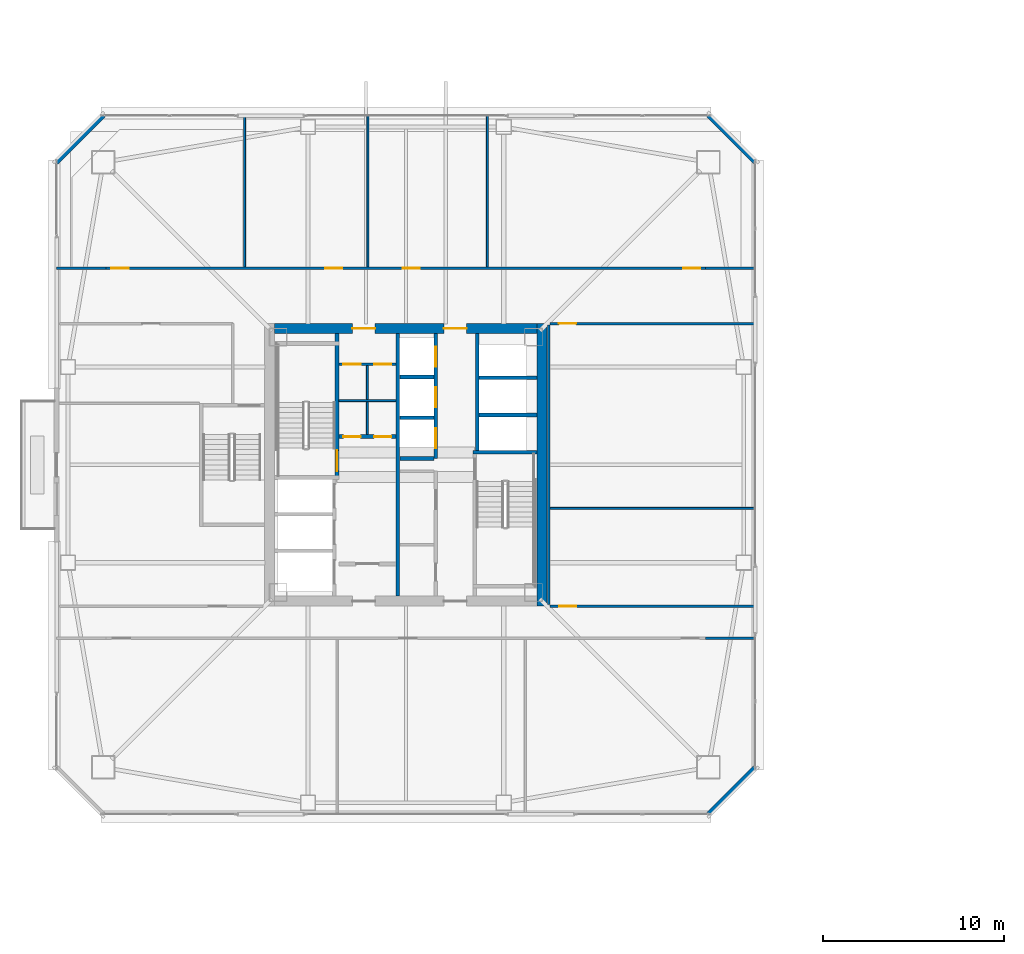
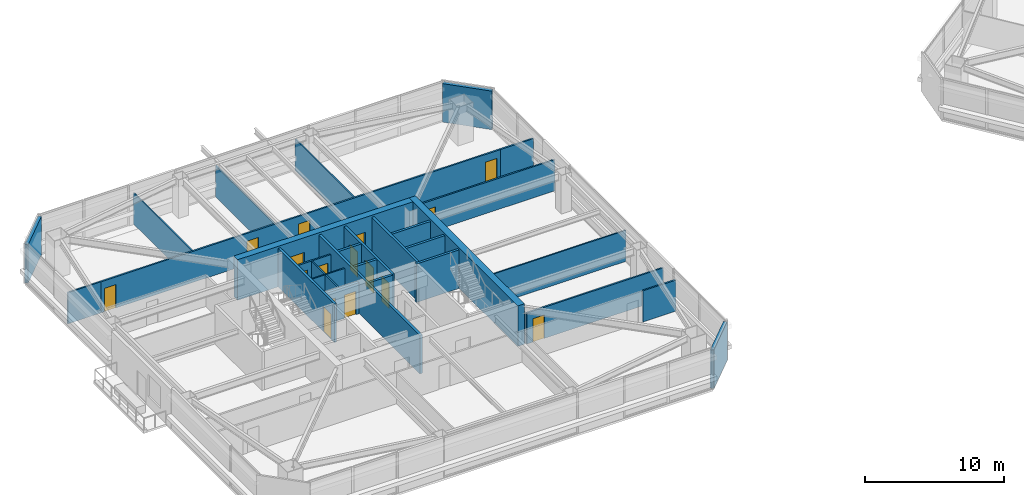
# One storey, part 36 of 46: 30 walls, 16 doors, 16 openings.
"""IFC4 building model written with IfcOpenShell, lengths in metres."""

from ifc_helpers import new_model, si_unit, direction, frame, frame_2d, origin, place, context, subcontext, project, spatial, rectangle, extrude, material, layer, layer_set, type_object, element, fill, save


model = new_model("IFC4")

# Units and contexts
model_context = context("Model", 3, precision=1e-05, world=origin(), true_north=direction((0.0, 1.0)))
body_context = subcontext(model_context, "Body", "Model", "MODEL_VIEW")
ifc_project = project(units=[si_unit("LENGTHUNIT", "METRE"), si_unit("AREAUNIT", "SQUARE_METRE"), si_unit("VOLUMEUNIT", "CUBIC_METRE"), si_unit("PLANEANGLEUNIT", "RADIAN"), si_unit("MASSUNIT", "GRAM", prefix="KILO")], contexts=[model_context])

# Site, building, storey
site_placement = place(None, origin())
site = spatial("IfcSite", under=ifc_project, at=site_placement, CompositionType="ELEMENT")
building_placement = place(site_placement, origin())
building = spatial("IfcBuilding", under=site, at=building_placement, Name="Tashvorn Skyway Center", CompositionType="ELEMENT")
storey_placement = place(building_placement, frame((0.0, 0.0, 132.14990234375)))
storey = spatial("IfcBuildingStorey", under=building, at=storey_placement, Name="L35", CompositionType="ELEMENT", Elevation=132.14990234375)

# Wall
ifc_material_1 = material(Name="Concrete C60/75", Category="concrete")
ifc_layer_1 = layer(ifc_material_1, 0.550048828125)
ifc_layer_set_1 = layer_set([ifc_layer_1], Name="Concrete C60/75")
wall_type_1 = type_object("IfcWallType", Name="WALL-CORE-550", PredefinedType="SHEAR", material=ifc_layer_set_1)
wall_1_placement = place(storey_placement, frame((49.52490234375, 39.800048828125, 0.0), z_axis=(0.0, 0.0, 1.0), x_axis=(0.0, -1.0, 0.0)))
element("IfcWall", 1, at=wall_1_placement, inside=storey, type_object=wall_type_1, Name="Tower 1 L35 East Core Shear Wall", PredefinedType="SHEAR", context=body_context, shape_type="SweptSolid", body=[
    extrude(rectangle(XDim=15.60009765625, YDim=0.550048828125, at=frame_2d((7.800048828125, 0.0))), origin(), (0.0, 0.0, 1.0), 3.550048828125),
])

# Wall, openings, doors
wall_2_placement = place(storey_placement, frame((34.75, 39.52490234375, 0.0), z_axis=(0.0, 0.0, 1.0), x_axis=(1.0, 0.0, 0.0)))
wall_2 = element("IfcWall", 2, at=wall_2_placement, inside=storey, type_object=wall_type_1, Name="Tower 1 L35 North Core Shear Wall", PredefinedType="SHEAR", context=body_context, shape_type="SweptSolid", body=[
    extrude(rectangle(XDim=14.5, YDim=0.550048828125, at=frame_2d((7.25, 0.0))), origin(), (0.0, 0.0, 1.0), 3.550048828125),
])
opening_1_placement = place(wall_2_placement, frame((4.300048828125, 0.0, 0.0)))
opening_1 = element("IfcOpeningElement", 3, at=opening_1_placement, cuts=wall_2, Name="Opening D-FFL-1250", PredefinedType="OPENING", context=body_context, shape_type="SweptSolid", body=[
    extrude(rectangle(XDim=1.25, YDim=2.25, at=frame_2d((0.625, 1.125))), frame((0.0, 0.284912109375, 0.0), z_axis=(0.0, -1.0, 0.0), x_axis=(1.0, 0.0, 0.0)), (0.0, 0.0, 1.0), 0.570068359375),
])
opening_2_placement = place(wall_2_placement, frame((9.35009765625, 0.0, 0.0)))
opening_2 = element("IfcOpeningElement", 4, at=opening_2_placement, cuts=wall_2, Name="Opening D-FFL-1250", PredefinedType="OPENING", context=body_context, shape_type="SweptSolid", body=[
    extrude(rectangle(XDim=1.25, YDim=2.25, at=frame_2d((0.625, 1.125))), frame((0.0, 0.284912109375, 0.0), z_axis=(0.0, -1.0, 0.0), x_axis=(1.0, 0.0, 0.0)), (0.0, 0.0, 1.0), 0.570068359375),
])
ifc_material_2 = material(Name="Hollow galvanized steel fire door assembly", Category="steel")
door_type_1 = type_object("IfcDoorType", Name="DOOR-FFL-1250", OperationType="NOTDEFINED", PredefinedType="DOOR", material=ifc_material_2)
door_1_placement = place(opening_1_placement, origin())
door_1 = element("IfcDoor", 5, at=door_1_placement, inside=storey, type_object=door_type_1, Name="Tower 1 L35 Core North Service Lobby Door", OperationType="SINGLE_SWING_LEFT", OverallHeight=2.25, OverallWidth=1.25, PredefinedType="DOOR", context=body_context, shape_type="SweptSolid", body=[
    extrude(rectangle(XDim=1.25, YDim=2.25, at=frame_2d((0.625, 1.125))), frame((0.0, 0.02490234375, 0.0), z_axis=(0.0, -1.0, 0.0), x_axis=(1.0, 0.0, 0.0)), (0.0, 0.0, 1.0), 0.050048828125),
])
fill(opening_1, door_1)
door_2_placement = place(opening_2_placement, origin())
door_2 = element("IfcDoor", 6, at=door_2_placement, inside=storey, type_object=door_type_1, Name="Tower 1 L35 Core North Lift Lobby Door", OperationType="SINGLE_SWING_RIGHT", OverallHeight=2.25, OverallWidth=1.25, PredefinedType="DOOR", context=body_context, shape_type="SweptSolid", body=[
    extrude(rectangle(XDim=1.25, YDim=2.25, at=frame_2d((0.625, 1.125))), frame((0.0, 0.02490234375, 0.0), z_axis=(0.0, -1.0, 0.0), x_axis=(1.0, 0.0, 0.0)), (0.0, 0.0, 1.0), 0.050048828125),
])
fill(opening_2, door_2)

# Walls
ifc_material_3 = material(Name="Precast concrete C40/50", Category="concrete")
ifc_layer_2 = layer(ifc_material_3, 0.280029296875)
ifc_layer_set_2 = layer_set([ifc_layer_2], Name="Precast concrete C40/50")
wall_type_2 = type_object("IfcWallType", Name="WALL-EXT-280", PredefinedType="SOLIDWALL", material=ifc_layer_set_2)
for number, where, z_axis, x_axis, name in (
    (7, (22.699951171875, 48.699951171875, 0.0), (0.0, 0.0, 1.0), (0.707106781187, 0.707106781187, 0.0), "Tower 1 L35 NW Precast Chamfer Wall"),
    (8, (58.699951171875, 51.300048828125, 0.0), (0.0, 0.0, 1.0), (0.707106781187, -0.707106781187, 0.0), "Tower 1 L35 NE Precast Chamfer Wall"),
    (9, (61.300048828125, 15.300048828125, 0.0), (0.0, 0.0, 1.0), (-0.707106781187, -0.707106781187, 0.0), "Tower 1 L35 SE Precast Chamfer Wall"),
):
    element("IfcWall", number, at=place(storey_placement, frame(where, z_axis=z_axis, x_axis=x_axis)), inside=storey, type_object=wall_type_2, Name=name, PredefinedType="SOLIDWALL", context=body_context, shape_type="SweptSolid", body=[
        extrude(rectangle(XDim=3.677001953125, YDim=0.280029296875, at=frame_2d((1.83837890625, 0.0))), origin(), (0.0, 0.0, 1.0), 3.3701171875),
    ])

# Wall, openings, doors
ifc_material_4 = material(Name="Concrete C40/50", Category="concrete")
ifc_layer_3 = layer(ifc_material_4, 0.219970703125)
ifc_layer_set_3 = layer_set([ifc_layer_3], Name="Concrete C40/50")
wall_type_3 = type_object("IfcWallType", Name="WALL-FFL-220", PredefinedType="SOLIDWALL", material=ifc_layer_set_3)
wall_3_placement = place(storey_placement, frame((38.300048828125, 33.56005859375, 0.0), z_axis=(0.0, 0.0, 1.0), x_axis=(1.0, 0.0, 0.0)))
wall_3 = element("IfcWall", 10, at=wall_3_placement, inside=storey, type_object=wall_type_3, Name="Tower 1 L35 Firefighting Lobby North Wall", PredefinedType="SOLIDWALL", context=body_context, shape_type="SweptSolid", body=[
    extrude(rectangle(XDim=3.14990234375, YDim=0.219970703125, at=frame_2d((1.574951171875, 0.0))), origin(), (0.0, 0.0, 1.0), 2.72314453125),
])
opening_3_placement = place(wall_3_placement, frame((0.25, 0.0, 0.0)))
opening_3 = element("IfcOpeningElement", 11, at=opening_3_placement, cuts=wall_3, Name="Opening D-RT-950", PredefinedType="OPENING", context=body_context, shape_type="SweptSolid", body=[
    extrude(rectangle(XDim=0.949951171875, YDim=2.050048828125, at=frame_2d((0.47509765625, 1.02490234375))), frame((0.0, 0.119873046875, 0.0), z_axis=(0.0, -1.0, 0.0), x_axis=(1.0, 0.0, 0.0)), (0.0, 0.0, 1.0), 0.239990234375),
])
opening_4_placement = place(wall_3_placement, frame((1.949951171875, 0.0, 0.0)))
opening_4 = element("IfcOpeningElement", 12, at=opening_4_placement, cuts=wall_3, Name="Opening D-RT-950", PredefinedType="OPENING", context=body_context, shape_type="SweptSolid", body=[
    extrude(rectangle(XDim=0.949951171875, YDim=2.050048828125, at=frame_2d((0.47509765625, 1.02490234375))), frame((0.0, 0.119873046875, 0.0), z_axis=(0.0, -1.0, 0.0), x_axis=(1.0, 0.0, 0.0)), (0.0, 0.0, 1.0), 0.239990234375),
])
door_type_2 = type_object("IfcDoorType", Name="DOOR-RATED-950", OperationType="NOTDEFINED", PredefinedType="DOOR", material=ifc_material_2)
door_3_placement = place(opening_3_placement, origin())
door_3 = element("IfcDoor", 13, at=door_3_placement, inside=storey, type_object=door_type_2, Name="Tower 1 L35 Core Mail Room Door", OperationType="SINGLE_SWING_LEFT", OverallHeight=2.050048828125, OverallWidth=0.949951171875, PredefinedType="DOOR", context=body_context, shape_type="SweptSolid", body=[
    extrude(rectangle(XDim=0.949951171875, YDim=2.050048828125, at=frame_2d((0.47509765625, 1.02490234375))), frame((0.0, 0.02490234375, 0.0), z_axis=(0.0, -1.0, 0.0), x_axis=(1.0, 0.0, 0.0)), (0.0, 0.0, 1.0), 0.050048828125),
])
fill(opening_3, door_3)
door_4_placement = place(opening_4_placement, origin())
door_4 = element("IfcDoor", 14, at=door_4_placement, inside=storey, type_object=door_type_2, Name="Tower 1 L35 Core Supply Closet Door", OperationType="SINGLE_SWING_RIGHT", OverallHeight=2.050048828125, OverallWidth=0.949951171875, PredefinedType="DOOR", context=body_context, shape_type="SweptSolid", body=[
    extrude(rectangle(XDim=0.949951171875, YDim=2.050048828125, at=frame_2d((0.47509765625, 1.02490234375))), frame((0.0, 0.02490234375, 0.0), z_axis=(0.0, -1.0, 0.0), x_axis=(1.0, 0.0, 0.0)), (0.0, 0.0, 1.0), 0.050048828125),
])
fill(opening_4, door_4)

# Walls
ifc_material_5 = material(Name="Gypsum board on cold-formed steel stud framing", Category="steel")
ifc_layer_4 = layer(ifc_material_5, 0.110107421875)
ifc_layer_set_4 = layer_set([ifc_layer_4], Name="Gypsum board on cold-formed steel stud framing")
wall_type_4 = type_object("IfcWallType", Name="WALL-PART-110", PredefinedType="PARTITIONING", material=ifc_layer_set_4)
for number, where, z_axis, x_axis, name in (
    (15, (33.10009765625, 42.929931640625, 0.0), (0.0, 0.0, 1.0), (0.0, 1.0, 0.0), "Tower 1 L35 North Suite Partition 1"),
    (16, (39.89990234375, 42.929931640625, 0.0), (0.0, 0.0, 1.0), (0.0, 1.0, 0.0), "Tower 1 L35 North Suite Partition 2"),
    (17, (46.5, 42.929931640625, 0.0), (0.0, 0.0, 1.0), (0.0, 1.0, 0.0), "Tower 1 L35 North Suite Partition 3"),
):
    element("IfcWall", number, at=place(storey_placement, frame(where, z_axis=z_axis, x_axis=x_axis)), inside=storey, type_object=wall_type_4, Name=name, PredefinedType="PARTITIONING", context=body_context, shape_type="SweptSolid", body=[
        extrude(rectangle(XDim=8.35009765625, YDim=0.110107421875, at=frame_2d((4.175048828125, 0.0))), origin(), (0.0, 0.0, 1.0), 2.72314453125),
    ])
wall_4_placement = place(storey_placement, frame((49.9599609375, 29.60009765625, 0.0), z_axis=(0.0, 0.0, 1.0), x_axis=(1.0, 0.0, 0.0)))
element("IfcWall", 18, at=wall_4_placement, inside=storey, type_object=wall_type_4, Name="Tower 1 L35 East Mid Partition", PredefinedType="PARTITIONING", context=body_context, shape_type="SweptSolid", body=[
    extrude(rectangle(XDim=11.320068359375, YDim=0.110107421875, at=frame_2d((5.66015625, 0.0))), origin(), (0.0, 0.0, 1.0), 2.72314453125),
])

# Wall, openings, doors
ifc_layer_5 = layer(ifc_material_5, 0.135009765625)
ifc_layer_set_5 = layer_set([ifc_layer_5], Name="Gypsum board on cold-formed steel stud framing")
wall_type_5 = type_object("IfcWallType", Name="WALL-PART-135", PredefinedType="PARTITIONING", material=ifc_layer_set_5)
wall_5_placement = place(storey_placement, frame((25.449951171875, 42.85009765625, 0.0), z_axis=(0.0, 0.0, 1.0), x_axis=(1.0, 0.0, 0.0)))
wall_5 = element("IfcWall", 19, at=wall_5_placement, inside=storey, type_object=wall_type_5, Name="Tower 1 L35 North Suite Wall", PredefinedType="PARTITIONING", context=body_context, shape_type="SweptSolid", body=[
    extrude(rectangle(XDim=33.10009765625, YDim=0.135009765625, at=frame_2d((16.550048828125, 0.0))), origin(), (0.0, 0.0, 1.0), 2.72314453125),
])
opening_5_placement = place(wall_5_placement, frame((0.300048828125, 0.0, 0.0)))
opening_5 = element("IfcOpeningElement", 20, at=opening_5_placement, cuts=wall_5, Name="Opening D-INT-950", PredefinedType="OPENING", context=body_context, shape_type="SweptSolid", body=[
    extrude(rectangle(XDim=0.949951171875, YDim=2.050048828125, at=frame_2d((0.47509765625, 1.02490234375))), frame((0.0, 0.077392578125, 0.0), z_axis=(0.0, -1.0, 0.0), x_axis=(1.0, 0.0, 0.0)), (0.0, 0.0, 1.0), 0.155029296875),
])
opening_6_placement = place(wall_5_placement, frame((12.10205078125, 0.0, 0.0)))
opening_6 = element("IfcOpeningElement", 21, at=opening_6_placement, cuts=wall_5, Name="Opening D-INT-950", PredefinedType="OPENING", context=body_context, shape_type="SweptSolid", body=[
    extrude(rectangle(XDim=0.949951171875, YDim=2.050048828125, at=frame_2d((0.47509765625, 1.02490234375))), frame((0.0, 0.077392578125, 0.0), z_axis=(0.0, -1.0, 0.0), x_axis=(1.0, 0.0, 0.0)), (0.0, 0.0, 1.0), 0.155029296875),
])
opening_7_placement = place(wall_5_placement, frame((16.374267578125, 0.0, 0.0)))
opening_7 = element("IfcOpeningElement", 22, at=opening_7_placement, cuts=wall_5, Name="Opening D-INT-950", PredefinedType="OPENING", context=body_context, shape_type="SweptSolid", body=[
    extrude(rectangle(XDim=0.949951171875, YDim=2.050048828125, at=frame_2d((0.47509765625, 1.02490234375))), frame((0.0, 0.077392578125, 0.0), z_axis=(0.0, -1.0, 0.0), x_axis=(1.0, 0.0, 0.0)), (0.0, 0.0, 1.0), 0.155029296875),
])
opening_8_placement = place(wall_5_placement, frame((31.85009765625, 0.0, 0.0)))
opening_8 = element("IfcOpeningElement", 23, at=opening_8_placement, cuts=wall_5, Name="Opening D-INT-950", PredefinedType="OPENING", context=body_context, shape_type="SweptSolid", body=[
    extrude(rectangle(XDim=0.949951171875, YDim=2.050048828125, at=frame_2d((0.47509765625, 1.02490234375))), frame((0.0, 0.077392578125, 0.0), z_axis=(0.0, -1.0, 0.0), x_axis=(1.0, 0.0, 0.0)), (0.0, 0.0, 1.0), 0.155029296875),
])
ifc_material_6 = material(Name="Solid-core architectural oak veneer door")
door_type_3 = type_object("IfcDoorType", Name="DOOR-INT-950", OperationType="NOTDEFINED", PredefinedType="DOOR", material=ifc_material_6)
door_5_placement = place(opening_5_placement, origin())
door_5 = element("IfcDoor", 24, at=door_5_placement, inside=storey, type_object=door_type_3, Name="Tower 1 L35 Conference Room Door", OperationType="SINGLE_SWING_RIGHT", OverallHeight=2.050048828125, OverallWidth=0.949951171875, PredefinedType="DOOR", context=body_context, shape_type="SweptSolid", body=[
    extrude(rectangle(XDim=0.949951171875, YDim=2.050048828125, at=frame_2d((0.47509765625, 1.02490234375))), frame((0.0, 0.02490234375, 0.0), z_axis=(0.0, -1.0, 0.0), x_axis=(1.0, 0.0, 0.0)), (0.0, 0.0, 1.0), 0.050048828125),
])
fill(opening_5, door_5)
door_6_placement = place(opening_6_placement, origin())
door_6 = element("IfcDoor", 25, at=door_6_placement, inside=storey, type_object=door_type_3, Name="Tower 1 L35 Conference Room Door", OperationType="SINGLE_SWING_LEFT", OverallHeight=2.050048828125, OverallWidth=0.949951171875, PredefinedType="DOOR", context=body_context, shape_type="SweptSolid", body=[
    extrude(rectangle(XDim=0.949951171875, YDim=2.050048828125, at=frame_2d((0.47509765625, 1.02490234375))), frame((0.0, 0.02490234375, 0.0), z_axis=(0.0, -1.0, 0.0), x_axis=(1.0, 0.0, 0.0)), (0.0, 0.0, 1.0), 0.050048828125),
])
fill(opening_6, door_6)
door_7_placement = place(opening_7_placement, origin())
door_7 = element("IfcDoor", 26, at=door_7_placement, inside=storey, type_object=door_type_3, Name="Tower 1 L35 Collaborative Studio Door", OperationType="SINGLE_SWING_RIGHT", OverallHeight=2.050048828125, OverallWidth=0.949951171875, PredefinedType="DOOR", context=body_context, shape_type="SweptSolid", body=[
    extrude(rectangle(XDim=0.949951171875, YDim=2.050048828125, at=frame_2d((0.47509765625, 1.02490234375))), frame((0.0, 0.02490234375, 0.0), z_axis=(0.0, -1.0, 0.0), x_axis=(1.0, 0.0, 0.0)), (0.0, 0.0, 1.0), 0.050048828125),
])
fill(opening_7, door_7)
door_8_placement = place(opening_8_placement, origin())
door_8 = element("IfcDoor", 27, at=door_8_placement, inside=storey, type_object=door_type_3, Name="Tower 1 L35 Gallery Showroom Door", OperationType="SINGLE_SWING_LEFT", OverallHeight=2.050048828125, OverallWidth=0.949951171875, PredefinedType="DOOR", context=body_context, shape_type="SweptSolid", body=[
    extrude(rectangle(XDim=0.949951171875, YDim=2.050048828125, at=frame_2d((0.47509765625, 1.02490234375))), frame((0.0, 0.02490234375, 0.0), z_axis=(0.0, -1.0, 0.0), x_axis=(1.0, 0.0, 0.0)), (0.0, 0.0, 1.0), 0.050048828125),
])
fill(opening_8, door_8)

# Walls
for number, where, z_axis, x_axis, name in (
    (28, (22.719970703125, 42.85009765625, 0.0), (0.0, 0.0, 1.0), (1.0, 0.0, 0.0), "Tower 1 L35 North-West Suite South Wall"),
    (29, (58.550048828125, 42.85009765625, 0.0), (0.0, 0.0, 1.0), (1.0, 0.0, 0.0), "Tower 1 L35 North-East Suite South Wall"),
    (30, (58.550048828125, 22.429931640625, 0.0), (0.0, 0.0, 1.0), (1.0, 0.0, 0.0), "Tower 1 L35 South-East Suite North Wall"),
):
    element("IfcWall", number, at=place(storey_placement, frame(where, z_axis=z_axis, x_axis=x_axis)), inside=storey, type_object=wall_type_5, Name=name, PredefinedType="PARTITIONING", context=body_context, shape_type="SweptSolid", body=[
        extrude(rectangle(XDim=2.72998046875, YDim=0.135009765625, at=frame_2d((1.364990234375, 0.0))), origin(), (0.0, 0.0, 1.0), 2.72314453125),
    ])
wall_6_placement = place(storey_placement, frame((49.8798828125, 39.719970703125, 0.0), z_axis=(0.0, 0.0, 1.0), x_axis=(0.0, -1.0, 0.0)))
element("IfcWall", 31, at=wall_6_placement, inside=storey, type_object=wall_type_5, Name="Tower 1 L35 East Inner Suite Wall", PredefinedType="PARTITIONING", context=body_context, shape_type="SweptSolid", body=[
    extrude(rectangle(XDim=15.43994140625, YDim=0.135009765625, at=frame_2d((7.719970703125, 0.0))), origin(), (0.0, 0.0, 1.0), 2.72314453125),
])

# Wall, opening, door
wall_7_placement = place(storey_placement, frame((61.280029296875, 39.800048828125, 0.0), z_axis=(0.0, 0.0, 1.0), x_axis=(-1.0, 0.0, 0.0)))
wall_7 = element("IfcWall", 32, at=wall_7_placement, inside=storey, type_object=wall_type_5, Name="Tower 1 L35 East Suite North Wall", PredefinedType="PARTITIONING", context=body_context, shape_type="SweptSolid", body=[
    extrude(rectangle(XDim=11.320068359375, YDim=0.135009765625, at=frame_2d((5.66015625, 0.0))), origin(), (0.0, 0.0, 1.0), 2.72314453125),
])
opening_9_placement = place(wall_7_placement, frame((9.8798828125, 0.0, 0.0)))
opening_9 = element("IfcOpeningElement", 33, at=opening_9_placement, cuts=wall_7, Name="Opening D-INT-950", PredefinedType="OPENING", context=body_context, shape_type="SweptSolid", body=[
    extrude(rectangle(XDim=0.949951171875, YDim=2.050048828125, at=frame_2d((0.47509765625, 1.02490234375))), frame((0.0, 0.077392578125, 0.0), z_axis=(0.0, -1.0, 0.0), x_axis=(1.0, 0.0, 0.0)), (0.0, 0.0, 1.0), 0.155029296875),
])
door_9_placement = place(opening_9_placement, origin())
door_9 = element("IfcDoor", 34, at=door_9_placement, inside=storey, type_object=door_type_3, Name="Tower 1 L35 Gallery Showroom Door", OperationType="SINGLE_SWING_LEFT", OverallHeight=2.050048828125, OverallWidth=0.949951171875, PredefinedType="DOOR", context=body_context, shape_type="SweptSolid", body=[
    extrude(rectangle(XDim=0.949951171875, YDim=2.050048828125, at=frame_2d((0.47509765625, 1.02490234375))), frame((0.0, 0.02490234375, 0.0), z_axis=(0.0, -1.0, 0.0), x_axis=(1.0, 0.0, 0.0)), (0.0, 0.0, 1.0), 0.050048828125),
])
fill(opening_9, door_9)

wall_8_placement = place(storey_placement, frame((49.9599609375, 24.199951171875, 0.0), z_axis=(0.0, 0.0, 1.0), x_axis=(1.0, 0.0, 0.0)))
wall_8 = element("IfcWall", 35, at=wall_8_placement, inside=storey, type_object=wall_type_5, Name="Tower 1 L35 East Suite South Wall", PredefinedType="PARTITIONING", context=body_context, shape_type="SweptSolid", body=[
    extrude(rectangle(XDim=11.320068359375, YDim=0.135009765625, at=frame_2d((5.66015625, 0.0))), origin(), (0.0, 0.0, 1.0), 2.72314453125),
])
opening_10_placement = place(wall_8_placement, frame((0.5, 0.0, 0.0)))
opening_10 = element("IfcOpeningElement", 36, at=opening_10_placement, cuts=wall_8, Name="Opening D-INT-950", PredefinedType="OPENING", context=body_context, shape_type="SweptSolid", body=[
    extrude(rectangle(XDim=0.949951171875, YDim=2.050048828125, at=frame_2d((0.47509765625, 1.02490234375))), frame((0.0, 0.077392578125, 0.0), z_axis=(0.0, -1.0, 0.0), x_axis=(1.0, 0.0, 0.0)), (0.0, 0.0, 1.0), 0.155029296875),
])
door_10_placement = place(opening_10_placement, origin())
door_10 = element("IfcDoor", 37, at=door_10_placement, inside=storey, type_object=door_type_3, Name="Tower 1 L35 Public Restroom Door", OperationType="SINGLE_SWING_RIGHT", OverallHeight=2.050048828125, OverallWidth=0.949951171875, PredefinedType="DOOR", context=body_context, shape_type="SweptSolid", body=[
    extrude(rectangle(XDim=0.949951171875, YDim=2.050048828125, at=frame_2d((0.47509765625, 1.02490234375))), frame((0.0, 0.02490234375, 0.0), z_axis=(0.0, -1.0, 0.0), x_axis=(1.0, 0.0, 0.0)), (0.0, 0.0, 1.0), 0.050048828125),
])
fill(opening_10, door_10)

# Walls
ifc_layer_6 = layer(ifc_material_5, 0.110107421875)
ifc_layer_set_6 = layer_set([ifc_layer_6], Name="Gypsum board on cold-formed steel stud framing")
wall_type_6 = type_object("IfcWallType", Name="WALL-RATED-110", PredefinedType="PARTITIONING", material=ifc_layer_set_6)
wall_9_placement = place(storey_placement, frame((39.8798828125, 33.679931640625, 0.0), z_axis=(0.0, 0.0, 1.0), x_axis=(0.0, 1.0, 0.0)))
element("IfcWall", 38, at=wall_9_placement, inside=storey, type_object=wall_type_6, Name="Tower 1 L35 Core Cross Vertical", PredefinedType="PARTITIONING", context=body_context, shape_type="SweptSolid", body=[
    extrude(rectangle(XDim=3.800048828125, YDim=0.110107421875, at=frame_2d((1.89990234375, 0.0))), origin(), (0.0, 0.0, 1.0), 2.72314453125),
])
wall_10_placement = place(storey_placement, frame((38.300048828125, 35.550048828125, 0.0), z_axis=(0.0, 0.0, 1.0), x_axis=(1.0, 0.0, 0.0)))
element("IfcWall", 39, at=wall_10_placement, inside=storey, type_object=wall_type_6, Name="Tower 1 L35 Core Cross Horizontal", PredefinedType="PARTITIONING", context=body_context, shape_type="SweptSolid", body=[
    extrude(rectangle(XDim=3.14990234375, YDim=0.110107421875, at=frame_2d((1.574951171875, 0.0))), origin(), (0.0, 0.0, 1.0), 2.72314453125),
])

# Wall, openings, doors
ifc_layer_7 = layer(ifc_material_5, 0.135009765625)
ifc_layer_set_7 = layer_set([ifc_layer_7], Name="Gypsum board on cold-formed steel stud framing")
wall_type_7 = type_object("IfcWallType", Name="WALL-RATED-135", PredefinedType="PARTITIONING", material=ifc_layer_set_7)
wall_11_placement = place(storey_placement, frame((38.300048828125, 37.550048828125, 0.0), z_axis=(0.0, 0.0, 1.0), x_axis=(1.0, 0.0, 0.0)))
wall_11 = element("IfcWall", 40, at=wall_11_placement, inside=storey, type_object=wall_type_7, Name="Tower 1 L35 Core Service Lobby Wall", PredefinedType="PARTITIONING", context=body_context, shape_type="SweptSolid", body=[
    extrude(rectangle(XDim=3.14990234375, YDim=0.135009765625, at=frame_2d((1.574951171875, 0.0))), origin(), (0.0, 0.0, 1.0), 2.72314453125),
])
opening_11_placement = place(wall_11_placement, frame((0.25, 0.0, 0.0)))
opening_11 = element("IfcOpeningElement", 41, at=opening_11_placement, cuts=wall_11, Name="Opening D-RT-950", PredefinedType="OPENING", context=body_context, shape_type="SweptSolid", body=[
    extrude(rectangle(XDim=0.949951171875, YDim=2.050048828125, at=frame_2d((0.47509765625, 1.02490234375))), frame((0.0, 0.077392578125, 0.0), z_axis=(0.0, -1.0, 0.0), x_axis=(1.0, 0.0, 0.0)), (0.0, 0.0, 1.0), 0.155029296875),
])
opening_12_placement = place(wall_11_placement, frame((1.949951171875, 0.0, 0.0)))
opening_12 = element("IfcOpeningElement", 42, at=opening_12_placement, cuts=wall_11, Name="Opening D-RT-950", PredefinedType="OPENING", context=body_context, shape_type="SweptSolid", body=[
    extrude(rectangle(XDim=0.949951171875, YDim=2.050048828125, at=frame_2d((0.47509765625, 1.02490234375))), frame((0.0, 0.077392578125, 0.0), z_axis=(0.0, -1.0, 0.0), x_axis=(1.0, 0.0, 0.0)), (0.0, 0.0, 1.0), 0.155029296875),
])
door_11_placement = place(opening_11_placement, origin())
door_11 = element("IfcDoor", 43, at=door_11_placement, inside=storey, type_object=door_type_2, Name="Tower 1 L35 Core Cleaner Store Door", OperationType="SINGLE_SWING_LEFT", OverallHeight=2.050048828125, OverallWidth=0.949951171875, PredefinedType="DOOR", context=body_context, shape_type="SweptSolid", body=[
    extrude(rectangle(XDim=0.949951171875, YDim=2.050048828125, at=frame_2d((0.47509765625, 1.02490234375))), frame((0.0, 0.02490234375, 0.0), z_axis=(0.0, -1.0, 0.0), x_axis=(1.0, 0.0, 0.0)), (0.0, 0.0, 1.0), 0.050048828125),
])
fill(opening_11, door_11)
door_12_placement = place(opening_12_placement, origin())
door_12 = element("IfcDoor", 44, at=door_12_placement, inside=storey, type_object=door_type_2, Name="Tower 1 L35 Core Accessible WC Door", OperationType="SINGLE_SWING_RIGHT", OverallHeight=2.050048828125, OverallWidth=0.949951171875, PredefinedType="DOOR", context=body_context, shape_type="SweptSolid", body=[
    extrude(rectangle(XDim=0.949951171875, YDim=2.050048828125, at=frame_2d((0.47509765625, 1.02490234375))), frame((0.0, 0.02490234375, 0.0), z_axis=(0.0, -1.0, 0.0), x_axis=(1.0, 0.0, 0.0)), (0.0, 0.0, 1.0), 0.050048828125),
])
fill(opening_12, door_12)

# Walls
ifc_layer_8 = layer(ifc_material_4, 0.199951171875)
ifc_layer_set_8 = layer_set([ifc_layer_8], Name="Concrete C40/50")
wall_type_8 = type_object("IfcWallType", Name="WALL-SHAFT-200", PredefinedType="SOLIDWALL", material=ifc_layer_set_8)
for number, where, z_axis, x_axis, name in (
    (45, (46.050048828125, 34.75, 0.0), (0.0, 0.0, 1.0), (1.0, 0.0, 0.0), "Tower 1 L35 High-Rise Shaft Divider"),
    (46, (46.050048828125, 36.800048828125, 0.0), (0.0, 0.0, 1.0), (1.0, 0.0, 0.0), "Tower 1 L35 High-Rise Shaft Divider"),
):
    element("IfcWall", number, at=place(storey_placement, frame(where, z_axis=z_axis, x_axis=x_axis)), inside=storey, type_object=wall_type_8, Name=name, PredefinedType="SOLIDWALL", context=body_context, shape_type="SweptSolid", body=[
        extrude(rectangle(XDim=3.199951171875, YDim=0.199951171875, at=frame_2d((1.60009765625, 0.0))), origin(), (0.0, 0.0, 1.0), 3.3701171875),
    ])

# Wall, openings, doors
wall_12_placement = place(storey_placement, frame((43.64990234375, 32.35009765625, 0.0), z_axis=(0.0, 0.0, 1.0), x_axis=(0.0, 1.0, 0.0)))
wall_12 = element("IfcWall", 47, at=wall_12_placement, inside=storey, type_object=wall_type_8, Name="Tower 1 L35 Mid-Rise Core Wall", PredefinedType="SOLIDWALL", context=body_context, shape_type="SweptSolid", body=[
    extrude(rectangle(XDim=6.89990234375, YDim=0.199951171875, at=frame_2d((3.449951171875, 0.0))), origin(), (0.0, 0.0, 1.0), 3.3701171875),
])
opening_13_placement = place(wall_12_placement, frame((0.574951171875, 0.0, 0.0)))
opening_13 = element("IfcOpeningElement", 48, at=opening_13_placement, cuts=wall_12, Name="Opening LD-MR-T1-1-L35", PredefinedType="OPENING", context=body_context, shape_type="SweptSolid", body=[
    extrude(rectangle(XDim=1.10009765625, YDim=2.199951171875, at=frame_2d((0.550048828125, 1.10009765625))), frame((0.0, 0.10986328125, 0.0), z_axis=(0.0, -1.0, 0.0), x_axis=(1.0, 0.0, 0.0)), (0.0, 0.0, 1.0), 0.219970703125),
])
opening_14_placement = place(wall_12_placement, frame((2.824951171875, 0.0, 0.0)))
opening_14 = element("IfcOpeningElement", 49, at=opening_14_placement, cuts=wall_12, Name="Opening LD-MR-T1-2-L35", PredefinedType="OPENING", context=body_context, shape_type="SweptSolid", body=[
    extrude(rectangle(XDim=1.10009765625, YDim=2.199951171875, at=frame_2d((0.550048828125, 1.10009765625))), frame((0.0, 0.10986328125, 0.0), z_axis=(0.0, -1.0, 0.0), x_axis=(1.0, 0.0, 0.0)), (0.0, 0.0, 1.0), 0.219970703125),
])
opening_15_placement = place(wall_12_placement, frame((5.074951171875, 0.0, 0.0)))
opening_15 = element("IfcOpeningElement", 50, at=opening_15_placement, cuts=wall_12, Name="Opening LD-MR-T1-3-L35", PredefinedType="OPENING", context=body_context, shape_type="SweptSolid", body=[
    extrude(rectangle(XDim=1.10009765625, YDim=2.199951171875, at=frame_2d((0.550048828125, 1.10009765625))), frame((0.0, 0.10986328125, 0.0), z_axis=(0.0, -1.0, 0.0), x_axis=(1.0, 0.0, 0.0)), (0.0, 0.0, 1.0), 0.219970703125),
])
ifc_material_7 = material(Name="Stainless steel landing door", Category="steel")
door_type_4 = type_object("IfcDoorType", Name="DOOR-LIFT-1100", OperationType="SLIDING_TO_LEFT", PredefinedType="DOOR", material=ifc_material_7)
door_13_placement = place(opening_13_placement, origin())
door_13 = element("IfcDoor", 51, at=door_13_placement, inside=storey, type_object=door_type_4, Name="Lift MR-T1-1 L35 Landing Door", OperationType="SLIDING_TO_LEFT", OverallHeight=2.199951171875, OverallWidth=1.10009765625, PredefinedType="DOOR", context=body_context, shape_type="SweptSolid", body=[
    extrude(rectangle(XDim=1.10009765625, YDim=2.199951171875, at=frame_2d((0.550048828125, 1.10009765625))), frame((0.0, 0.02490234375, 0.0), z_axis=(0.0, -1.0, 0.0), x_axis=(1.0, 0.0, 0.0)), (0.0, 0.0, 1.0), 0.050048828125),
])
fill(opening_13, door_13)
door_14_placement = place(opening_14_placement, origin())
door_14 = element("IfcDoor", 52, at=door_14_placement, inside=storey, type_object=door_type_4, Name="Lift MR-T1-2 L35 Landing Door", OperationType="SLIDING_TO_LEFT", OverallHeight=2.199951171875, OverallWidth=1.10009765625, PredefinedType="DOOR", context=body_context, shape_type="SweptSolid", body=[
    extrude(rectangle(XDim=1.10009765625, YDim=2.199951171875, at=frame_2d((0.550048828125, 1.10009765625))), frame((0.0, 0.02490234375, 0.0), z_axis=(0.0, -1.0, 0.0), x_axis=(1.0, 0.0, 0.0)), (0.0, 0.0, 1.0), 0.050048828125),
])
fill(opening_14, door_14)
door_15_placement = place(opening_15_placement, origin())
door_15 = element("IfcDoor", 53, at=door_15_placement, inside=storey, type_object=door_type_4, Name="Lift MR-T1-3 L35 Landing Door", OperationType="SLIDING_TO_LEFT", OverallHeight=2.199951171875, OverallWidth=1.10009765625, PredefinedType="DOOR", context=body_context, shape_type="SweptSolid", body=[
    extrude(rectangle(XDim=1.10009765625, YDim=2.199951171875, at=frame_2d((0.550048828125, 1.10009765625))), frame((0.0, 0.02490234375, 0.0), z_axis=(0.0, -1.0, 0.0), x_axis=(1.0, 0.0, 0.0)), (0.0, 0.0, 1.0), 0.050048828125),
])
fill(opening_15, door_15)

# Walls
for number, where, z_axis, x_axis, name in (
    (54, (41.669921875, 32.35009765625, 0.0), (0.0, 0.0, 1.0), (1.0, 0.0, 0.0), "Tower 1 L35 Mid-Rise Shaft Divider"),
    (55, (41.669921875, 34.60009765625, 0.0), (0.0, 0.0, 1.0), (1.0, 0.0, 0.0), "Tower 1 L35 Mid-Rise Shaft Divider"),
    (56, (41.669921875, 36.85009765625, 0.0), (0.0, 0.0, 1.0), (1.0, 0.0, 0.0), "Tower 1 L35 Mid-Rise Shaft Divider"),
):
    element("IfcWall", number, at=place(storey_placement, frame(where, z_axis=z_axis, x_axis=x_axis)), inside=storey, type_object=wall_type_8, Name=name, PredefinedType="SOLIDWALL", context=body_context, shape_type="SweptSolid", body=[
        extrude(rectangle(XDim=1.880126953125, YDim=0.199951171875, at=frame_2d((0.93994140625, 0.0))), origin(), (0.0, 0.0, 1.0), 3.3701171875),
    ])

# Wall, opening, door
ifc_layer_9 = layer(ifc_material_4, 0.199951171875)
ifc_layer_set_9 = layer_set([ifc_layer_9], Name="Concrete C40/50")
wall_type_9 = type_object("IfcWallType", Name="WALL-STSHF-200", PredefinedType="SHEAR", material=ifc_layer_set_9)
wall_13_placement = place(storey_placement, frame((38.199951171875, 31.199951171875, 0.0), z_axis=(0.0, 0.0, 1.0), x_axis=(0.0, 1.0, 0.0)))
wall_13 = element("IfcWall", 57, at=wall_13_placement, inside=storey, type_object=wall_type_9, Name="Tower 1 L35 Stair 1 Enclosure Wall", PredefinedType="SHEAR", context=body_context, shape_type="SweptSolid", body=[
    extrude(rectangle(XDim=8.050048828125, YDim=0.199951171875, at=frame_2d((4.02490234375, 0.0))), origin(), (0.0, 0.0, 1.0), 3.3701171875),
])
opening_16_placement = place(wall_13_placement, frame((0.449951171875, 0.0, 0.0)))
opening_16 = element("IfcOpeningElement", 58, at=opening_16_placement, cuts=wall_13, Name="Opening D-ST-1150", PredefinedType="OPENING", context=body_context, shape_type="SweptSolid", body=[
    extrude(rectangle(XDim=1.14990234375, YDim=2.199951171875, at=frame_2d((0.574951171875, 1.10009765625))), frame((0.0, 0.10986328125, 0.0), z_axis=(0.0, -1.0, 0.0), x_axis=(1.0, 0.0, 0.0)), (0.0, 0.0, 1.0), 0.219970703125),
])
door_type_5 = type_object("IfcDoorType", Name="DOOR-STAIR-1150", OperationType="NOTDEFINED", PredefinedType="DOOR", material=ifc_material_2)
door_16_placement = place(opening_16_placement, origin())
door_16 = element("IfcDoor", 59, at=door_16_placement, inside=storey, type_object=door_type_5, Name="Tower 1 L35 Exit Stair 1 Door", OperationType="SINGLE_SWING_RIGHT", OverallHeight=2.199951171875, OverallWidth=1.14990234375, PredefinedType="DOOR", context=body_context, shape_type="SweptSolid", body=[
    extrude(rectangle(XDim=1.14990234375, YDim=2.199951171875, at=frame_2d((0.574951171875, 1.10009765625))), frame((0.0, 0.02490234375, 0.0), z_axis=(0.0, -1.0, 0.0), x_axis=(1.0, 0.0, 0.0)), (0.0, 0.0, 1.0), 0.050048828125),
])
fill(opening_16, door_16)

# Walls
wall_14_placement = place(storey_placement, frame((45.699951171875, 32.699951171875, 0.0), z_axis=(0.0, 0.0, 1.0), x_axis=(1.0, 0.0, 0.0)))
element("IfcWall", 60, at=wall_14_placement, inside=storey, type_object=wall_type_9, Name="Tower 1 L35 Stair 2 North Wall", PredefinedType="SHEAR", context=body_context, shape_type="SweptSolid", body=[
    extrude(rectangle(XDim=3.550048828125, YDim=0.199951171875, at=frame_2d((1.77490234375, 0.0))), origin(), (0.0, 0.0, 1.0), 3.3701171875),
])
wall_15_placement = place(storey_placement, frame((41.56005859375, 24.75, 0.0), z_axis=(0.0, 0.0, 1.0), x_axis=(0.0, 1.0, 0.0)))
element("IfcWall", 61, at=wall_15_placement, inside=storey, type_object=wall_type_9, Name="Tower 1 L35 Firefighting Lobby East Smoke Barrier", PredefinedType="SHEAR", context=body_context, shape_type="SweptSolid", body=[
    extrude(rectangle(XDim=14.5, YDim=0.199951171875, at=frame_2d((7.25, 0.0))), origin(), (0.0, 0.0, 1.0), 3.3701171875),
])
wall_16_placement = place(storey_placement, frame((45.949951171875, 39.25, 0.0), z_axis=(0.0, 0.0, 1.0), x_axis=(0.0, -1.0, 0.0)))
element("IfcWall", 62, at=wall_16_placement, inside=storey, type_object=wall_type_9, Name="Tower 1 L35 High-Rise Lift Shaft Front Wall", PredefinedType="SHEAR", context=body_context, shape_type="SweptSolid", body=[
    extrude(rectangle(XDim=6.449951171875, YDim=0.199951171875, at=frame_2d((3.22509765625, 0.0))), origin(), (0.0, 0.0, 1.0), 3.3701171875),
])

save(model, "model.ifc")
